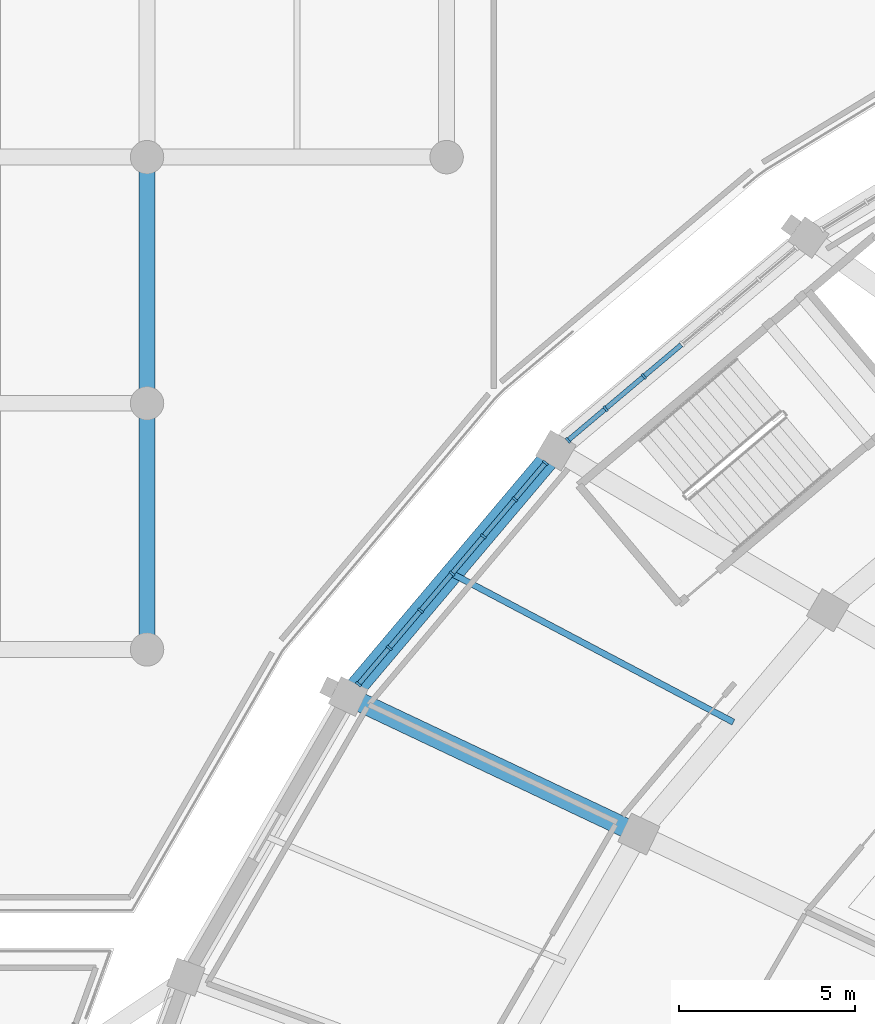
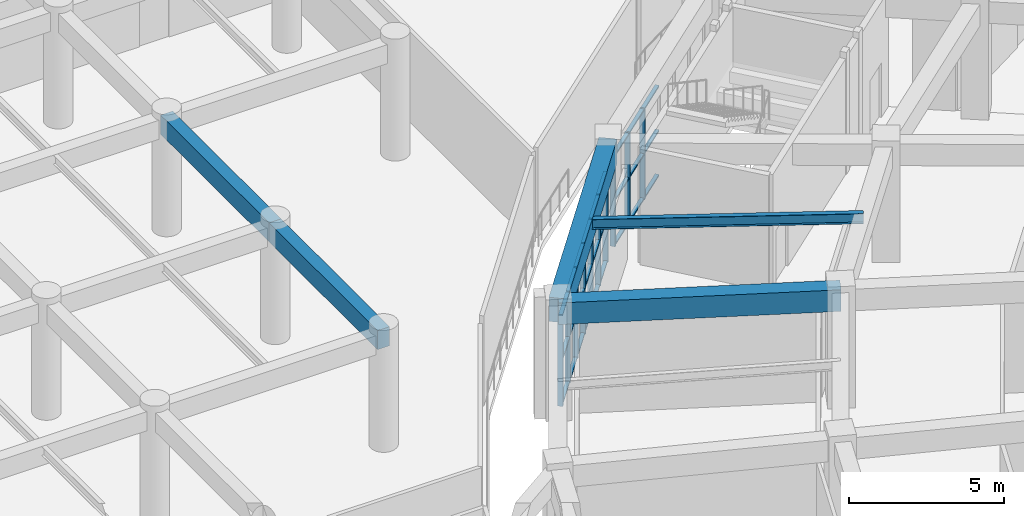
# One storey, part 55 of 152: 37 members, 5 beams, 2 elements without a shape of their own.
"""IFC4 building model written with IfcOpenShell, lengths in metres."""

from ifc_helpers import new_model, si_unit, direction, frame, origin, origin_2d, place, context, subcontext, project, spatial, rectangle, i_section, extrude, material, layer, layer_set, material_profile, profile_set, type_object, element, aggregate, save


model = new_model("IFC4")

# Units and contexts
model_context = context("Model", 3, precision=1e-05, world=origin(), true_north=direction((0.0, 1.0)))
body_context = subcontext(model_context, "Body", "Model", "MODEL_VIEW")
ifc_project = project(units=[si_unit("LENGTHUNIT", "METRE"), si_unit("AREAUNIT", "SQUARE_METRE"), si_unit("VOLUMEUNIT", "CUBIC_METRE"), si_unit("PLANEANGLEUNIT", "RADIAN"), si_unit("MASSUNIT", "GRAM", prefix="KILO")], contexts=[model_context])

# Site, building, storey
site_placement = place(None, origin())
site = spatial("IfcSite", under=ifc_project, at=site_placement, CompositionType="ELEMENT")
building_placement = place(site_placement, origin())
building = spatial("IfcBuilding", under=site, at=building_placement, Name="Mphavela Belvedere Stadium", CompositionType="ELEMENT")
storey_placement = place(building_placement, frame((0.0, 0.0, 5.39990234375)))
storey = spatial("IfcBuildingStorey", under=building, at=storey_placement, Name="L01", CompositionType="ELEMENT", Elevation=5.39990234375)

# Beams
ifc_material_1 = material(Name="Concrete C40/50", Category="concrete")
ifc_material_profile_1 = material_profile(ifc_material_1, rectangle(XDim=0.60009765625, YDim=0.949951171875, at=origin_2d()), Name="RC 600x950")
ifc_profile_set_1 = profile_set([ifc_material_profile_1], Name="Concrete C40/50")
beam_type_1 = type_object("IfcBeamType", Name="BM-ENTABLATURE-950", PredefinedType="SPANDREL", material=ifc_profile_set_1)
beam_1_placement = place(storey_placement, frame((28.66162109375, 137.653564453125, 4.0751953125), z_axis=(-0.645164552218, -0.764043650952, 0.0), x_axis=(0.764043650952, -0.645164552218, 0.0)))
element("IfcBeam", 1, at=beam_1_placement, inside=storey, type_object=beam_type_1, Name="Circumferential girder L01 R4-20", PredefinedType="SPANDREL", context=body_context, shape_type="SweptSolid", body=[
    extrude(rectangle(XDim=0.60009765625, YDim=0.949951171875, at=origin_2d()), origin(), (0.0, 0.0, 1.0), 9.151123046875),
])
ifc_material_2 = material(Name="Steel S355", Category="steel")
ifc_material_profile_2 = material_profile(ifc_material_2, i_section(OverallWidth=0.179931640625, OverallDepth=0.39990234375, WebThickness=0.008544921875, FlangeThickness=0.013427734375, at=origin_2d()), Name="IPE 400")
ifc_profile_set_2 = profile_set([ifc_material_profile_2], Name="Steel S355")
beam_type_2 = type_object("IfcBeamType", Name="BM-JOIST-IPE400", PredefinedType="JOIST", material=ifc_profile_set_2)
beam_2_placement = place(storey_placement, frame((33.7119140625, 129.93115234375, 4.35009765625), z_axis=(-0.884250771824, 0.467012390123, 0.0), x_axis=(-0.467012390123, -0.884250771824, 0.0)))
element("IfcBeam", 2, at=beam_2_placement, inside=storey, type_object=beam_type_2, Name="Concourse floor joist L01-20", PredefinedType="JOIST", context=body_context, shape_type="SweptSolid", body=[
    extrude(i_section(OverallWidth=0.179931640625, OverallDepth=0.39990234375, WebThickness=0.008544921875, FlangeThickness=0.013427734375, at=origin_2d()), origin(), (0.0, 0.0, 1.0), 9.0498046875),
])
ifc_material_3 = material(Name="Concrete C40/50", Category="concrete")
ifc_material_profile_3 = material_profile(ifc_material_3, rectangle(XDim=0.449951171875, YDim=0.75, at=origin_2d()), Name="RC 450x750")
ifc_profile_set_3 = profile_set([ifc_material_profile_3], Name="Concrete C40/50")
beam_type_3 = type_object("IfcBeamType", Name="BM-RC450x750", PredefinedType="BEAM", material=ifc_profile_set_3)
for number, where, z_axis, x_axis, name in (
    (3, (17.037109375, 132.0, 4.1650390625), (0.0, 1.0, 0.0), (-1.0, 0.0, 0.0), "North Mast and Ceremonial End Forecourt entablature beam Y L01 3-2"),
    (4, (17.037109375, 139.0, 4.1650390625), (0.0, 1.0, 0.0), (-1.0, 0.0, 0.0), "North Mast and Ceremonial End Forecourt entablature beam Y L01 3-3"),
):
    element("IfcBeam", number, at=place(storey_placement, frame(where, z_axis=z_axis, x_axis=x_axis)), inside=storey, type_object=beam_type_3, Name=name, PredefinedType="BEAM", context=body_context, shape_type="SweptSolid", body=[
        extrude(rectangle(XDim=0.449951171875, YDim=0.75, at=origin_2d()), origin(), (0.0, 0.0, 1.0), 7.0),
    ])
ifc_material_4 = material(Name="Concrete C40/50", Category="concrete")
ifc_material_profile_4 = material_profile(ifc_material_4, rectangle(XDim=0.550048828125, YDim=0.85009765625, at=origin_2d()), Name="RC 550x850")
ifc_profile_set_4 = profile_set([ifc_material_profile_4], Name="Concrete C40/50")
beam_type_4 = type_object("IfcBeamType", Name="BM-RC550x850", PredefinedType="BEAM", material=ifc_profile_set_4)
beam_3_placement = place(storey_placement, frame((31.0244140625, 126.748291015625, 4.125), z_axis=(-0.903845427073, 0.427859140325, 0.0), x_axis=(-0.427859140325, -0.903845427073, 0.0)))
element("IfcBeam", 5, at=beam_3_placement, inside=storey, type_object=beam_type_4, Name="Radial concourse girder L01 R3R4-21", PredefinedType="BEAM", context=body_context, shape_type="SweptSolid", body=[
    extrude(rectangle(XDim=0.550048828125, YDim=0.85009765625, at=origin_2d()), origin(), (0.0, 0.0, 1.0), 9.146240234375),
])

# Curtain wall, members
ifc_material_5 = material(Name="Anodised bronze unitised curtain wall framing")
ifc_layer_1 = layer(ifc_material_5, 0.205078125)
ifc_layer_set_1 = layer_set([ifc_layer_1], Name="Anodised bronze unitised curtain wall framing")
curtain_wall_type_1 = type_object("IfcCurtainWallType", Name="CW-UNIT-06", PredefinedType="USERDEFINED", material=ifc_layer_set_1)
curtain_wall_1_placement = place(storey_placement, origin())
curtain_wall_1 = element("IfcCurtainWall", 6, at=curtain_wall_1_placement, inside=storey, type_object=curtain_wall_type_1, Name="Belvedere colonnade curtain wall L01-19", ObjectType="UNITISED CURTAIN WALL", PredefinedType="USERDEFINED")
ifc_material_6 = material(Name="Anodised bronze extruded aluminium", Category="aluminium")
ifc_material_profile_5 = material_profile(ifc_material_6, rectangle(XDim=0.179931640625, YDim=0.06494140625, at=origin_2d()), Name="CW-MUL 180x65")
ifc_profile_set_5 = profile_set([ifc_material_profile_5], Name="Anodised bronze extruded aluminium")
member_type_1 = type_object("IfcMemberType", Name="CWM-180x65", PredefinedType="MULLION", material=ifc_profile_set_5)
member_1_placement = place(storey_placement, frame((31.163818359375, 139.7646484375, 0.0), z_axis=(0.0, 0.0, 1.0), x_axis=(0.644909572272, -0.76425888519, 0.0)))
member_1 = element("IfcMember", 7, at=member_1_placement, type_object=member_type_1, Name="CW-06 mullion 5", PredefinedType="MULLION", context=body_context, shape_type="SweptSolid", body=[
    extrude(rectangle(XDim=0.179931640625, YDim=0.06494140625, at=origin_2d()), origin(), (0.0, 0.0, 1.0), 3.570068359375),
])
member_2_placement = place(storey_placement, frame((30.074462890625, 138.845458984375, 0.0), z_axis=(0.0, 0.0, 1.0), x_axis=(0.644909572272, -0.76425888519, 0.0)))
member_2 = element("IfcMember", 8, at=member_2_placement, type_object=member_type_1, Name="CW-06 mullion 6", PredefinedType="MULLION", context=body_context, shape_type="SweptSolid", body=[
    extrude(rectangle(XDim=0.179931640625, YDim=0.06494140625, at=origin_2d()), origin(), (0.0, 0.0, 1.0), 3.570068359375),
])
member_3_placement = place(storey_placement, frame((29.009765625, 137.947265625, 0.0), z_axis=(0.0, 0.0, 1.0), x_axis=(0.644909572272, -0.76425888519, 0.0)))
member_3 = element("IfcMember", 9, at=member_3_placement, type_object=member_type_1, Name="CW-06 mullion 7", PredefinedType="MULLION", context=body_context, shape_type="SweptSolid", body=[
    extrude(rectangle(XDim=0.179931640625, YDim=0.06494140625, at=origin_2d()), origin(), (0.0, 0.0, 1.0), 3.570068359375),
])

ifc_material_7 = material(Name="Anodised bronze unitised curtain wall framing")
ifc_layer_2 = layer(ifc_material_7, 0.179931640625)
ifc_layer_set_2 = layer_set([ifc_layer_2], Name="Anodised bronze unitised curtain wall framing")
curtain_wall_type_2 = type_object("IfcCurtainWallType", Name="CW-UNIT-01", PredefinedType="USERDEFINED", material=ifc_layer_set_2)
curtain_wall_2_placement = place(storey_placement, origin())
curtain_wall_2 = element("IfcCurtainWall", 10, at=curtain_wall_2_placement, inside=storey, type_object=curtain_wall_type_2, Name="Belvedere colonnade curtain wall L01-20", ObjectType="UNITISED CURTAIN WALL", PredefinedType="USERDEFINED")
member_4_placement = place(storey_placement, frame((28.367919921875, 137.305419921875, 0.0), z_axis=(0.0, 0.0, 1.0), x_axis=(0.764036246659, -0.645173320737, 0.0)))
member_4 = element("IfcMember", 11, at=member_4_placement, type_object=member_type_1, Name="CW-01 mullion 1", PredefinedType="MULLION", context=body_context, shape_type="SweptSolid", body=[
    extrude(rectangle(XDim=0.179931640625, YDim=0.06494140625, at=origin_2d()), origin(), (0.0, 0.0, 1.0), 3.570068359375),
])
member_5_placement = place(storey_placement, frame((27.495849609375, 136.272705078125, 0.0), z_axis=(0.0, 0.0, 1.0), x_axis=(0.764036246659, -0.645173320737, 0.0)))
member_5 = element("IfcMember", 12, at=member_5_placement, type_object=member_type_1, Name="CW-01 mullion 2", PredefinedType="MULLION", context=body_context, shape_type="SweptSolid", body=[
    extrude(rectangle(XDim=0.179931640625, YDim=0.06494140625, at=origin_2d()), origin(), (0.0, 0.0, 1.0), 3.570068359375),
])
member_6_placement = place(storey_placement, frame((26.602783203125, 135.215087890625, 0.0), z_axis=(0.0, 0.0, 1.0), x_axis=(0.764036246659, -0.645173320737, 0.0)))
member_6 = element("IfcMember", 13, at=member_6_placement, type_object=member_type_1, Name="CW-01 mullion 3", PredefinedType="MULLION", context=body_context, shape_type="SweptSolid", body=[
    extrude(rectangle(XDim=0.179931640625, YDim=0.06494140625, at=origin_2d()), origin(), (0.0, 0.0, 1.0), 3.570068359375),
])
member_7_placement = place(storey_placement, frame((25.709716796875, 134.157470703125, 0.0), z_axis=(0.0, 0.0, 1.0), x_axis=(0.764036246659, -0.645173320737, 0.0)))
member_7 = element("IfcMember", 14, at=member_7_placement, type_object=member_type_1, Name="CW-01 mullion 4", PredefinedType="MULLION", context=body_context, shape_type="SweptSolid", body=[
    extrude(rectangle(XDim=0.179931640625, YDim=0.06494140625, at=origin_2d()), origin(), (0.0, 0.0, 1.0), 3.570068359375),
])
member_8_placement = place(storey_placement, frame((24.816650390625, 133.099853515625, 0.0), z_axis=(0.0, 0.0, 1.0), x_axis=(0.764036246659, -0.645173320737, 0.0)))
member_8 = element("IfcMember", 15, at=member_8_placement, type_object=member_type_1, Name="CW-01 mullion 5", PredefinedType="MULLION", context=body_context, shape_type="SweptSolid", body=[
    extrude(rectangle(XDim=0.179931640625, YDim=0.06494140625, at=origin_2d()), origin(), (0.0, 0.0, 1.0), 3.570068359375),
])
member_9_placement = place(storey_placement, frame((23.923583984375, 132.042236328125, 0.0), z_axis=(0.0, 0.0, 1.0), x_axis=(0.764036246659, -0.645173320737, 0.0)))
member_9 = element("IfcMember", 16, at=member_9_placement, type_object=member_type_1, Name="CW-01 mullion 6", PredefinedType="MULLION", context=body_context, shape_type="SweptSolid", body=[
    extrude(rectangle(XDim=0.179931640625, YDim=0.06494140625, at=origin_2d()), origin(), (0.0, 0.0, 1.0), 3.570068359375),
])
member_10_placement = place(storey_placement, frame((23.05126953125, 131.009521484375, 0.0), z_axis=(0.0, 0.0, 1.0), x_axis=(0.764036246659, -0.645173320737, 0.0)))
member_10 = element("IfcMember", 17, at=member_10_placement, type_object=member_type_1, Name="CW-01 mullion 7", PredefinedType="MULLION", context=body_context, shape_type="SweptSolid", body=[
    extrude(rectangle(XDim=0.179931640625, YDim=0.06494140625, at=origin_2d()), origin(), (0.0, 0.0, 1.0), 3.570068359375),
])

# Member
ifc_material_8 = material(Name="Anodised bronze extruded aluminium", Category="aluminium")
ifc_material_profile_6 = material_profile(ifc_material_8, rectangle(XDim=0.139892578125, YDim=0.06005859375, at=origin_2d()), Name="CW-TRN 140x60")
ifc_profile_set_6 = profile_set([ifc_material_profile_6], Name="Anodised bronze extruded aluminium")
member_type_2 = type_object("IfcMemberType", Name="CWT-140x60", PredefinedType="USERDEFINED", material=ifc_profile_set_6)
member_11_placement = place(storey_placement, frame((32.228271484375, 140.6630859375, 0.030029296875), z_axis=(-0.764250024637, -0.644920072445, 0.0), x_axis=(0.644920072445, -0.764250024637, 0.0)))
member_11 = element("IfcMember", 18, at=member_11_placement, type_object=member_type_2, Name="CW-06 transom 4.1", ObjectType="TRANSOM", PredefinedType="USERDEFINED", context=body_context, shape_type="SweptSolid", body=[
    extrude(rectangle(XDim=0.139892578125, YDim=0.06005859375, at=origin_2d()), origin(), (0.0, 0.0, 1.0), 1.360595703125),
])

member_12_placement = place(storey_placement, frame((32.228271484375, 140.6630859375, 1.78515625), z_axis=(-0.764250024637, -0.644920072445, 0.0), x_axis=(0.644920072445, -0.764250024637, 0.0)))
member_12 = element("IfcMember", 19, at=member_12_placement, type_object=member_type_2, Name="CW-06 transom 4.2", ObjectType="TRANSOM", PredefinedType="USERDEFINED", context=body_context, shape_type="SweptSolid", body=[
    extrude(rectangle(XDim=0.139892578125, YDim=0.06005859375, at=origin_2d()), origin(), (0.0, 0.0, 1.0), 1.360595703125),
])

member_13_placement = place(storey_placement, frame((32.228271484375, 140.6630859375, 3.5400390625), z_axis=(-0.764250024637, -0.644920072445, 0.0), x_axis=(0.644920072445, -0.764250024637, 0.0)))
member_13 = element("IfcMember", 20, at=member_13_placement, type_object=member_type_2, Name="CW-06 transom 4.3", ObjectType="TRANSOM", PredefinedType="USERDEFINED", context=body_context, shape_type="SweptSolid", body=[
    extrude(rectangle(XDim=0.139892578125, YDim=0.06005859375, at=origin_2d()), origin(), (0.0, 0.0, 1.0), 1.360595703125),
])

member_14_placement = place(storey_placement, frame((31.138916015625, 139.743896484375, 0.030029296875), z_axis=(-0.764250024637, -0.644920072445, 0.0), x_axis=(0.644920072445, -0.764250024637, 0.0)))
member_14 = element("IfcMember", 21, at=member_14_placement, type_object=member_type_2, Name="CW-06 transom 5.1", ObjectType="TRANSOM", PredefinedType="USERDEFINED", context=body_context, shape_type="SweptSolid", body=[
    extrude(rectangle(XDim=0.139892578125, YDim=0.06005859375, at=origin_2d()), origin(), (0.0, 0.0, 1.0), 1.360595703125),
])

member_15_placement = place(storey_placement, frame((31.138916015625, 139.743896484375, 1.78515625), z_axis=(-0.764250024637, -0.644920072445, 0.0), x_axis=(0.644920072445, -0.764250024637, 0.0)))
member_15 = element("IfcMember", 22, at=member_15_placement, type_object=member_type_2, Name="CW-06 transom 5.2", ObjectType="TRANSOM", PredefinedType="USERDEFINED", context=body_context, shape_type="SweptSolid", body=[
    extrude(rectangle(XDim=0.139892578125, YDim=0.06005859375, at=origin_2d()), origin(), (0.0, 0.0, 1.0), 1.360595703125),
])

member_16_placement = place(storey_placement, frame((31.138916015625, 139.743896484375, 3.5400390625), z_axis=(-0.764250024637, -0.644920072445, 0.0), x_axis=(0.644920072445, -0.764250024637, 0.0)))
member_16 = element("IfcMember", 23, at=member_16_placement, type_object=member_type_2, Name="CW-06 transom 5.3", ObjectType="TRANSOM", PredefinedType="USERDEFINED", context=body_context, shape_type="SweptSolid", body=[
    extrude(rectangle(XDim=0.139892578125, YDim=0.06005859375, at=origin_2d()), origin(), (0.0, 0.0, 1.0), 1.360595703125),
])

member_17_placement = place(storey_placement, frame((30.049560546875, 138.824462890625, 0.030029296875), z_axis=(-0.764333961041, -0.644820592103, 0.0), x_axis=(0.644820592103, -0.764333961041, 0.0)))
member_17 = element("IfcMember", 24, at=member_17_placement, type_object=member_type_2, Name="CW-06 transom 6.1", ObjectType="TRANSOM", PredefinedType="USERDEFINED", context=body_context, shape_type="SweptSolid", body=[
    extrude(rectangle(XDim=0.139892578125, YDim=0.06005859375, at=origin_2d()), origin(), (0.0, 0.0, 1.0), 1.327880859375),
])

member_18_placement = place(storey_placement, frame((30.049560546875, 138.824462890625, 1.78515625), z_axis=(-0.764333961041, -0.644820592103, 0.0), x_axis=(0.644820592103, -0.764333961041, 0.0)))
member_18 = element("IfcMember", 25, at=member_18_placement, type_object=member_type_2, Name="CW-06 transom 6.2", ObjectType="TRANSOM", PredefinedType="USERDEFINED", context=body_context, shape_type="SweptSolid", body=[
    extrude(rectangle(XDim=0.139892578125, YDim=0.06005859375, at=origin_2d()), origin(), (0.0, 0.0, 1.0), 1.327880859375),
])

member_19_placement = place(storey_placement, frame((30.049560546875, 138.824462890625, 3.5400390625), z_axis=(-0.764333961041, -0.644820592103, 0.0), x_axis=(0.644820592103, -0.764333961041, 0.0)))
member_19 = element("IfcMember", 26, at=member_19_placement, type_object=member_type_2, Name="CW-06 transom 6.3", ObjectType="TRANSOM", PredefinedType="USERDEFINED", context=body_context, shape_type="SweptSolid", body=[
    extrude(rectangle(XDim=0.139892578125, YDim=0.06005859375, at=origin_2d()), origin(), (0.0, 0.0, 1.0), 1.327880859375),
])

aggregate(curtain_wall_1, [member_1, member_2, member_3, member_11, member_12, member_13, member_14, member_15, member_16, member_17, member_18, member_19])

member_20_placement = place(storey_placement, frame((28.346923828125, 137.280517578125, 0.030029296875), z_axis=(-0.645321105216, -0.763911428873, 0.0), x_axis=(0.763911428873, -0.645321105216, 0.0)))
member_20 = element("IfcMember", 27, at=member_20_placement, type_object=member_type_2, Name="CW-01 transom 1.1", ObjectType="TRANSOM", PredefinedType="USERDEFINED", context=body_context, shape_type="SweptSolid", body=[
    extrude(rectangle(XDim=0.139892578125, YDim=0.06005859375, at=origin_2d()), origin(), (0.0, 0.0, 1.0), 1.28662109375),
])

member_21_placement = place(storey_placement, frame((28.346923828125, 137.280517578125, 1.78515625), z_axis=(-0.645321105216, -0.763911428873, 0.0), x_axis=(0.763911428873, -0.645321105216, 0.0)))
member_21 = element("IfcMember", 28, at=member_21_placement, type_object=member_type_2, Name="CW-01 transom 1.2", ObjectType="TRANSOM", PredefinedType="USERDEFINED", context=body_context, shape_type="SweptSolid", body=[
    extrude(rectangle(XDim=0.139892578125, YDim=0.06005859375, at=origin_2d()), origin(), (0.0, 0.0, 1.0), 1.28662109375),
])

member_22_placement = place(storey_placement, frame((28.346923828125, 137.280517578125, 3.5400390625), z_axis=(-0.645321105216, -0.763911428873, 0.0), x_axis=(0.763911428873, -0.645321105216, 0.0)))
member_22 = element("IfcMember", 29, at=member_22_placement, type_object=member_type_2, Name="CW-01 transom 1.3", ObjectType="TRANSOM", PredefinedType="USERDEFINED", context=body_context, shape_type="SweptSolid", body=[
    extrude(rectangle(XDim=0.139892578125, YDim=0.06005859375, at=origin_2d()), origin(), (0.0, 0.0, 1.0), 1.28662109375),
])

member_23_placement = place(storey_placement, frame((27.474853515625, 136.247802734375, 0.030029296875), z_axis=(-0.64530324023, -0.763926520124, 0.0), x_axis=(0.763926520124, -0.64530324023, 0.0)))
member_23 = element("IfcMember", 30, at=member_23_placement, type_object=member_type_2, Name="CW-01 transom 2.1", ObjectType="TRANSOM", PredefinedType="USERDEFINED", context=body_context, shape_type="SweptSolid", body=[
    extrude(rectangle(XDim=0.139892578125, YDim=0.06005859375, at=origin_2d()), origin(), (0.0, 0.0, 1.0), 1.3193359375),
])

member_24_placement = place(storey_placement, frame((27.474853515625, 136.247802734375, 1.78515625), z_axis=(-0.64530324023, -0.763926520124, 0.0), x_axis=(0.763926520124, -0.64530324023, 0.0)))
member_24 = element("IfcMember", 31, at=member_24_placement, type_object=member_type_2, Name="CW-01 transom 2.2", ObjectType="TRANSOM", PredefinedType="USERDEFINED", context=body_context, shape_type="SweptSolid", body=[
    extrude(rectangle(XDim=0.139892578125, YDim=0.06005859375, at=origin_2d()), origin(), (0.0, 0.0, 1.0), 1.3193359375),
])

member_25_placement = place(storey_placement, frame((27.474853515625, 136.247802734375, 3.5400390625), z_axis=(-0.64530324023, -0.763926520124, 0.0), x_axis=(0.763926520124, -0.64530324023, 0.0)))
member_25 = element("IfcMember", 32, at=member_25_placement, type_object=member_type_2, Name="CW-01 transom 2.3", ObjectType="TRANSOM", PredefinedType="USERDEFINED", context=body_context, shape_type="SweptSolid", body=[
    extrude(rectangle(XDim=0.139892578125, YDim=0.06005859375, at=origin_2d()), origin(), (0.0, 0.0, 1.0), 1.3193359375),
])

member_26_placement = place(storey_placement, frame((26.581787109375, 135.190185546875, 0.030029296875), z_axis=(-0.64530324023, -0.763926520124, 0.0), x_axis=(0.763926520124, -0.64530324023, 0.0)))
member_26 = element("IfcMember", 33, at=member_26_placement, type_object=member_type_2, Name="CW-01 transom 3.1", ObjectType="TRANSOM", PredefinedType="USERDEFINED", context=body_context, shape_type="SweptSolid", body=[
    extrude(rectangle(XDim=0.139892578125, YDim=0.06005859375, at=origin_2d()), origin(), (0.0, 0.0, 1.0), 1.3193359375),
])

member_27_placement = place(storey_placement, frame((26.581787109375, 135.190185546875, 1.78515625), z_axis=(-0.64530324023, -0.763926520124, 0.0), x_axis=(0.763926520124, -0.64530324023, 0.0)))
member_27 = element("IfcMember", 34, at=member_27_placement, type_object=member_type_2, Name="CW-01 transom 3.2", ObjectType="TRANSOM", PredefinedType="USERDEFINED", context=body_context, shape_type="SweptSolid", body=[
    extrude(rectangle(XDim=0.139892578125, YDim=0.06005859375, at=origin_2d()), origin(), (0.0, 0.0, 1.0), 1.3193359375),
])

member_28_placement = place(storey_placement, frame((26.581787109375, 135.190185546875, 3.5400390625), z_axis=(-0.64530324023, -0.763926520124, 0.0), x_axis=(0.763926520124, -0.64530324023, 0.0)))
member_28 = element("IfcMember", 35, at=member_28_placement, type_object=member_type_2, Name="CW-01 transom 3.3", ObjectType="TRANSOM", PredefinedType="USERDEFINED", context=body_context, shape_type="SweptSolid", body=[
    extrude(rectangle(XDim=0.139892578125, YDim=0.06005859375, at=origin_2d()), origin(), (0.0, 0.0, 1.0), 1.3193359375),
])

member_29_placement = place(storey_placement, frame((25.688720703125, 134.132568359375, 0.030029296875), z_axis=(-0.64530324023, -0.763926520124, 0.0), x_axis=(0.763926520124, -0.64530324023, 0.0)))
member_29 = element("IfcMember", 36, at=member_29_placement, type_object=member_type_2, Name="CW-01 transom 4.1", ObjectType="TRANSOM", PredefinedType="USERDEFINED", context=body_context, shape_type="SweptSolid", body=[
    extrude(rectangle(XDim=0.139892578125, YDim=0.06005859375, at=origin_2d()), origin(), (0.0, 0.0, 1.0), 1.3193359375),
])

member_30_placement = place(storey_placement, frame((25.688720703125, 134.132568359375, 1.78515625), z_axis=(-0.64530324023, -0.763926520124, 0.0), x_axis=(0.763926520124, -0.64530324023, 0.0)))
member_30 = element("IfcMember", 37, at=member_30_placement, type_object=member_type_2, Name="CW-01 transom 4.2", ObjectType="TRANSOM", PredefinedType="USERDEFINED", context=body_context, shape_type="SweptSolid", body=[
    extrude(rectangle(XDim=0.139892578125, YDim=0.06005859375, at=origin_2d()), origin(), (0.0, 0.0, 1.0), 1.3193359375),
])

member_31_placement = place(storey_placement, frame((25.688720703125, 134.132568359375, 3.5400390625), z_axis=(-0.64530324023, -0.763926520124, 0.0), x_axis=(0.763926520124, -0.64530324023, 0.0)))
member_31 = element("IfcMember", 38, at=member_31_placement, type_object=member_type_2, Name="CW-01 transom 4.3", ObjectType="TRANSOM", PredefinedType="USERDEFINED", context=body_context, shape_type="SweptSolid", body=[
    extrude(rectangle(XDim=0.139892578125, YDim=0.06005859375, at=origin_2d()), origin(), (0.0, 0.0, 1.0), 1.3193359375),
])

member_32_placement = place(storey_placement, frame((24.795654296875, 133.074951171875, 0.030029296875), z_axis=(-0.64530324023, -0.763926520124, 0.0), x_axis=(0.763926520124, -0.64530324023, 0.0)))
member_32 = element("IfcMember", 39, at=member_32_placement, type_object=member_type_2, Name="CW-01 transom 5.1", ObjectType="TRANSOM", PredefinedType="USERDEFINED", context=body_context, shape_type="SweptSolid", body=[
    extrude(rectangle(XDim=0.139892578125, YDim=0.06005859375, at=origin_2d()), origin(), (0.0, 0.0, 1.0), 1.3193359375),
])

member_33_placement = place(storey_placement, frame((24.795654296875, 133.074951171875, 1.78515625), z_axis=(-0.64530324023, -0.763926520124, 0.0), x_axis=(0.763926520124, -0.64530324023, 0.0)))
member_33 = element("IfcMember", 40, at=member_33_placement, type_object=member_type_2, Name="CW-01 transom 5.2", ObjectType="TRANSOM", PredefinedType="USERDEFINED", context=body_context, shape_type="SweptSolid", body=[
    extrude(rectangle(XDim=0.139892578125, YDim=0.06005859375, at=origin_2d()), origin(), (0.0, 0.0, 1.0), 1.3193359375),
])

member_34_placement = place(storey_placement, frame((24.795654296875, 133.074951171875, 3.5400390625), z_axis=(-0.64530324023, -0.763926520124, 0.0), x_axis=(0.763926520124, -0.64530324023, 0.0)))
member_34 = element("IfcMember", 41, at=member_34_placement, type_object=member_type_2, Name="CW-01 transom 5.3", ObjectType="TRANSOM", PredefinedType="USERDEFINED", context=body_context, shape_type="SweptSolid", body=[
    extrude(rectangle(XDim=0.139892578125, YDim=0.06005859375, at=origin_2d()), origin(), (0.0, 0.0, 1.0), 1.3193359375),
])

member_35_placement = place(storey_placement, frame((23.902587890625, 132.017578125, 0.030029296875), z_axis=(-0.645227575929, -0.763990428776, 0.0), x_axis=(0.763990428776, -0.645227575929, 0.0)))
member_35 = element("IfcMember", 42, at=member_35_placement, type_object=member_type_2, Name="CW-01 transom 6.1", ObjectType="TRANSOM", PredefinedType="USERDEFINED", context=body_context, shape_type="SweptSolid", body=[
    extrude(rectangle(XDim=0.139892578125, YDim=0.06005859375, at=origin_2d()), origin(), (0.0, 0.0, 1.0), 1.286865234375),
])

member_36_placement = place(storey_placement, frame((23.902587890625, 132.017578125, 1.78515625), z_axis=(-0.645227575929, -0.763990428776, 0.0), x_axis=(0.763990428776, -0.645227575929, 0.0)))
member_36 = element("IfcMember", 43, at=member_36_placement, type_object=member_type_2, Name="CW-01 transom 6.2", ObjectType="TRANSOM", PredefinedType="USERDEFINED", context=body_context, shape_type="SweptSolid", body=[
    extrude(rectangle(XDim=0.139892578125, YDim=0.06005859375, at=origin_2d()), origin(), (0.0, 0.0, 1.0), 1.286865234375),
])

member_37_placement = place(storey_placement, frame((23.902587890625, 132.017578125, 3.5400390625), z_axis=(-0.645227575929, -0.763990428776, 0.0), x_axis=(0.763990428776, -0.645227575929, 0.0)))
member_37 = element("IfcMember", 44, at=member_37_placement, type_object=member_type_2, Name="CW-01 transom 6.3", ObjectType="TRANSOM", PredefinedType="USERDEFINED", context=body_context, shape_type="SweptSolid", body=[
    extrude(rectangle(XDim=0.139892578125, YDim=0.06005859375, at=origin_2d()), origin(), (0.0, 0.0, 1.0), 1.286865234375),
])

aggregate(curtain_wall_2, [member_4, member_5, member_6, member_7, member_8, member_9, member_10, member_20, member_21, member_22, member_23, member_24, member_25, member_26, member_27, member_28, member_29, member_30, member_31, member_32, member_33, member_34, member_35, member_36, member_37])

save(model, "model.ifc")
